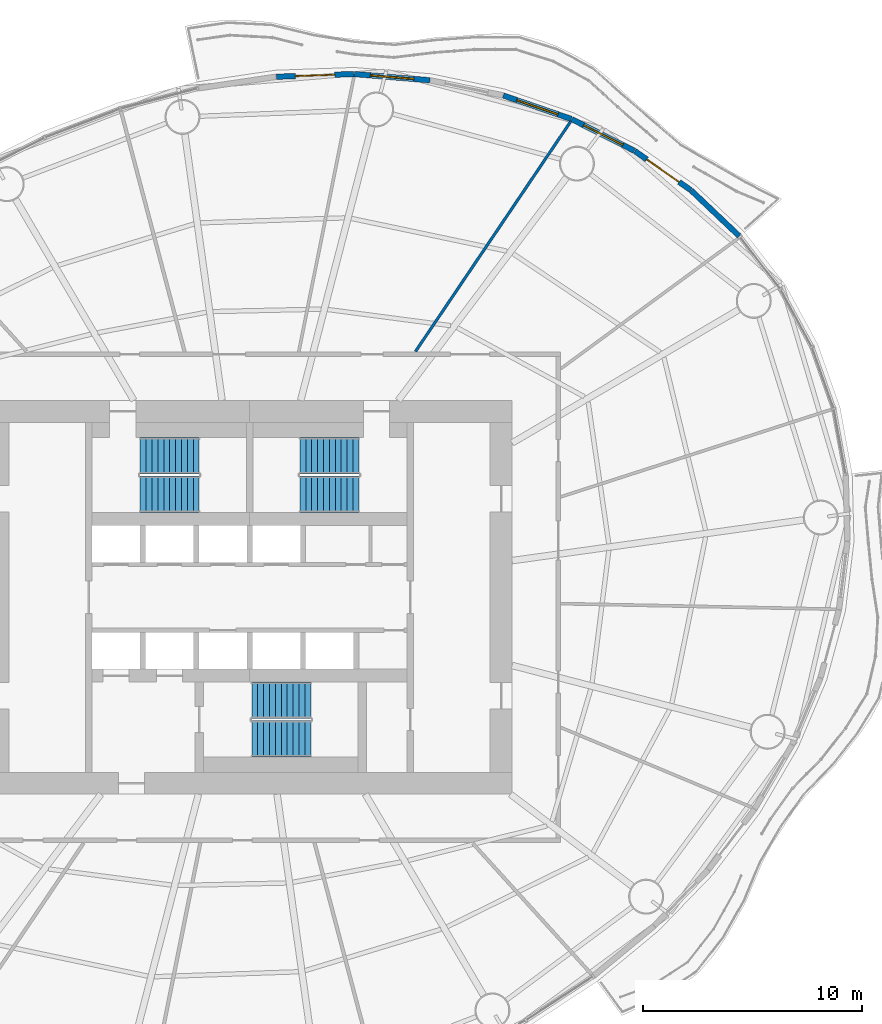
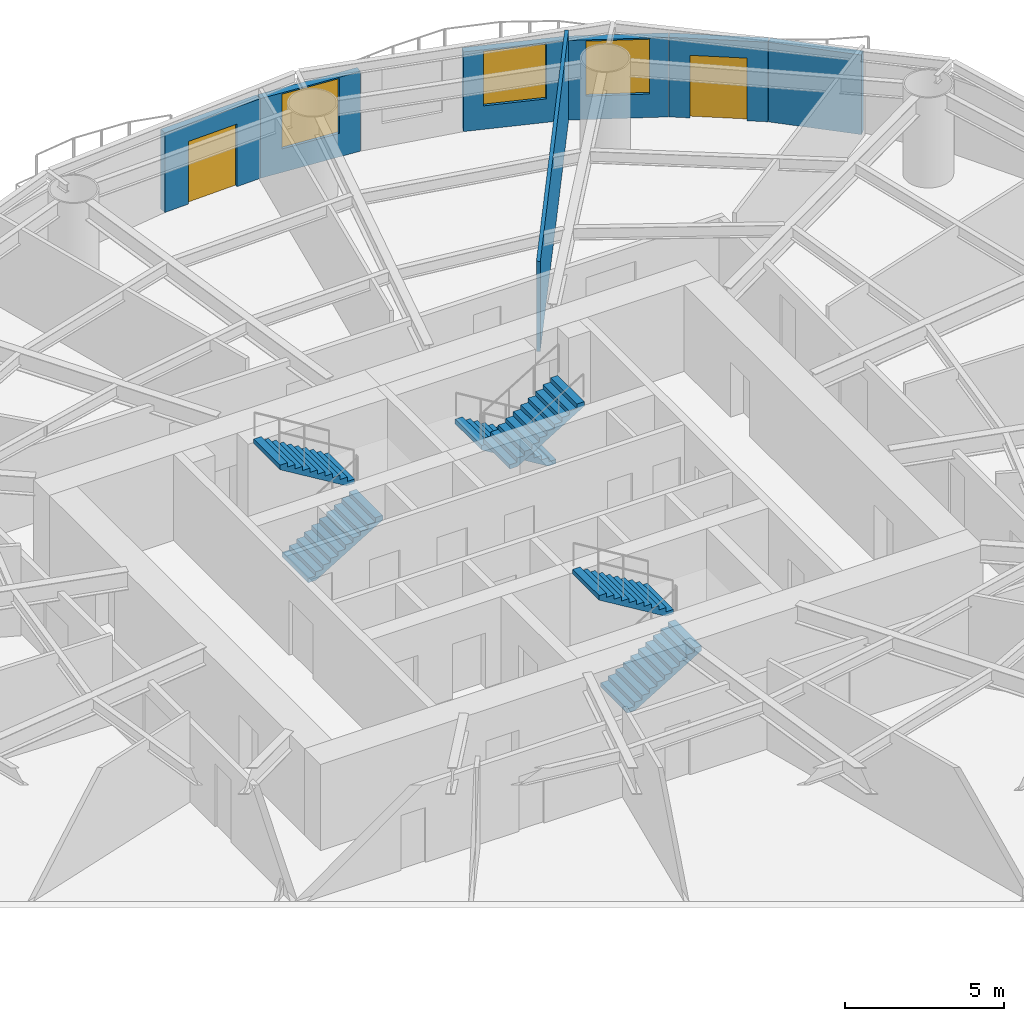
# One storey, part 10 of 15: 7 walls, 6 stair flights, 3 windows, 2 doors, 5 openings, 3 elements without a shape of their own.
"""IFC4 building model written with IfcOpenShell, lengths in metres."""

from ifc_helpers import new_model, si_unit, direction, frame, frame_2d, origin, place, context, subcontext, project, spatial, polyline, rectangle, outline, extrude, material, layer, layer_set, type_object, element, fill, aggregate, save


model = new_model("IFC4")

# Units and contexts
model_context = context("Model", 3, precision=1e-05, world=origin(), true_north=direction((0.0, 1.0)))
body_context = subcontext(model_context, "Body", "Model", "MODEL_VIEW")
ifc_project = project(units=[si_unit("LENGTHUNIT", "METRE"), si_unit("AREAUNIT", "SQUARE_METRE"), si_unit("VOLUMEUNIT", "CUBIC_METRE"), si_unit("PLANEANGLEUNIT", "RADIAN"), si_unit("MASSUNIT", "GRAM", prefix="KILO")], contexts=[model_context])

# Site, building, storey
site_placement = place(None, origin())
site = spatial("IfcSite", under=ifc_project, at=site_placement, CompositionType="ELEMENT")
building_placement = place(site_placement, origin())
building = spatial("IfcBuilding", under=site, at=building_placement, Name="Vermilion Reach Broadcast Tower", CompositionType="ELEMENT")
storey_placement = place(building_placement, frame((0.0, 0.0, 128.199951171875)))
storey = spatial("IfcBuildingStorey", under=building, at=storey_placement, Name="L30", CompositionType="ELEMENT", Elevation=128.199951171875)

# Walls
ifc_material_1 = material(Name="Fire-rated plasterboard on steel stud", Category="steel")
ifc_layer_1 = layer(ifc_material_1, 0.125)
ifc_layer_set_1 = layer_set([ifc_layer_1], Name="Partition 125 fire-rated stud")
wall_type_1 = type_object("IfcWallType", Name="Partition 125 fire-rated stud", PredefinedType="PARTITIONING", material=ifc_layer_set_1)
wall_1_placement = place(storey_placement, frame((8.672607421875, 21.740234375, 0.0), z_axis=(0.0, 0.0, 1.0), x_axis=(-0.559416611395, -0.828886635732, 0.0)))
element("IfcWall", 1, at=wall_1_placement, inside=storey, type_object=wall_type_1, Name="Partition 30.02", PredefinedType="PARTITIONING", context=body_context, shape_type="SweptSolid", body=[
    extrude(rectangle(XDim=12.674072265625, YDim=0.125, at=frame_2d((6.3369140625, 0.0))), origin(), (0.0, 0.0, 1.0), 3.449951171875),
])
ifc_material_2 = material(Name="Terracotta rainscreen cladding", Category="masonry")
ifc_layer_2 = layer(ifc_material_2, 0.25)
ifc_layer_set_2 = layer_set([ifc_layer_2], Name="Terracotta rainscreen wall 250")
wall_type_2 = type_object("IfcWallType", Name="Terracotta rainscreen wall 250", PredefinedType="SOLIDWALL", material=ifc_layer_set_2)
wall_2_placement = place(storey_placement, frame((16.3740234375, 16.515869140625, 0.0), z_axis=(0.0, 0.0, 1.0), x_axis=(-0.725398271138, 0.688329389341, 0.0)))
element("IfcWall", 2, at=wall_2_placement, inside=storey, type_object=wall_type_2, Name="External wall L30 02", PredefinedType="SOLIDWALL", context=body_context, shape_type="SweptSolid", body=[
    extrude(rectangle(XDim=3.009765625, YDim=0.25, at=frame_2d((1.5048828125, 0.0))), origin(), (0.0, 0.0, 1.0), 3.050048828125),
])

# Wall, opening, door
wall_3_placement = place(storey_placement, frame((14.170166015625, 18.6044921875, 0.0), z_axis=(0.0, 0.0, 1.0), x_axis=(-0.81958096781, 0.572963382079, 0.0)))
wall_3 = element("IfcWall", 3, at=wall_3_placement, inside=storey, type_object=wall_type_2, Name="External wall L30 03", PredefinedType="SOLIDWALL", context=body_context, shape_type="SweptSolid", body=[
    extrude(rectangle(XDim=3.120361328125, YDim=0.25, at=frame_2d((1.56005859375, 0.0))), origin(), (0.0, 0.0, 1.0), 3.050048828125),
])
opening_1_placement = place(wall_3_placement, frame((0.659912109375, 0.0, 0.0)))
opening_1 = element("IfcOpeningElement", 4, at=opening_1_placement, cuts=wall_3, Name="Opening D70", PredefinedType="OPENING", context=body_context, shape_type="SweptSolid", body=[
    extrude(rectangle(XDim=1.800048828125, YDim=2.39990234375, at=frame_2d((0.89990234375, 1.199951171875))), frame((0.0, 0.135009765625, 0.0), z_axis=(0.0, -1.0, 0.0), x_axis=(1.0, 0.0, 0.0)), (0.0, 0.0, 1.0), 0.27001953125),
])
ifc_material_3 = material(Name="Low-e laminated clear glass in aluminium frame", Category="aluminium")
door_type = type_object("IfcDoorType", Name="Balcony sliding door 1800 x 2400", OperationType="DOUBLE_DOOR_SLIDING", PredefinedType="DOOR", material=ifc_material_3)
door_1_placement = place(opening_1_placement, origin())
door_1 = element("IfcDoor", 5, at=door_1_placement, inside=storey, type_object=door_type, Name="Balcony door L30 run 01", OperationType="DOUBLE_DOOR_SLIDING", OverallHeight=2.39990234375, OverallWidth=1.800048828125, PredefinedType="DOOR", context=body_context, shape_type="SweptSolid", body=[
    extrude(rectangle(XDim=1.800048828125, YDim=2.39990234375, at=frame_2d((0.89990234375, 1.199951171875))), frame((0.0, 0.02490234375, 0.0), z_axis=(0.0, -1.0, 0.0), x_axis=(1.0, 0.0, 0.0)), (0.0, 0.0, 1.0), 0.050048828125),
])
fill(opening_1, door_1)

# Wall, opening, window
wall_4_placement = place(storey_placement, frame((11.5908203125, 20.405517578125, 0.0), z_axis=(0.0, 0.0, 1.0), x_axis=(-0.892544139391, 0.450960041732, 0.0)))
wall_4 = element("IfcWall", 6, at=wall_4_placement, inside=storey, type_object=wall_type_2, Name="External wall L30 04", PredefinedType="SOLIDWALL", context=body_context, shape_type="SweptSolid", body=[
    extrude(rectangle(XDim=3.202880859375, YDim=0.25, at=frame_2d((1.6015625, 0.0))), origin(), (0.0, 0.0, 1.0), 3.050048828125),
])
opening_2_placement = place(wall_4_placement, frame((0.601318359375, 0.0, 0.89990234375)))
opening_2 = element("IfcOpeningElement", 7, at=opening_2_placement, cuts=wall_4, Name="Opening W03", PredefinedType="OPENING", context=body_context, shape_type="SweptSolid", body=[
    extrude(rectangle(XDim=2.0, YDim=2.10009765625, at=frame_2d((1.0, 1.050048828125))), frame((0.0, 0.135009765625, 0.0), z_axis=(0.0, -1.0, 0.0), x_axis=(1.0, 0.0, 0.0)), (0.0, 0.0, 1.0), 0.27001953125),
])
ifc_material_4 = material(Name="Low-e laminated clear glass in aluminium frame", Category="aluminium")
window_type = type_object("IfcWindowType", Name="Punched window 2000 x 2100 sill 900", PartitioningType="SINGLE_PANEL", PredefinedType="WINDOW", material=ifc_material_4)
window_1_placement = place(opening_2_placement, origin())
window_1 = element("IfcWindow", 8, at=window_1_placement, inside=storey, type_object=window_type, Name="Window L30 04", OverallHeight=2.10009765625, OverallWidth=2.0, PartitioningType="SINGLE_PANEL", PredefinedType="WINDOW", context=body_context, shape_type="SweptSolid", body=[
    extrude(rectangle(XDim=2.0, YDim=2.10009765625, at=frame_2d((1.0, 1.050048828125))), frame((0.0, 0.030029296875, 0.0), z_axis=(0.0, -1.0, 0.0), x_axis=(1.0, 0.0, 0.0)), (0.0, 0.0, 1.0), 0.06005859375),
])
fill(opening_2, window_1)

wall_5_placement = place(storey_placement, frame((8.70947265625, 21.859375, 0.0), z_axis=(0.0, 0.0, 1.0), x_axis=(-0.945193950443, 0.326509411878, 0.0)))
wall_5 = element("IfcWall", 9, at=wall_5_placement, inside=storey, type_object=wall_type_2, Name="External wall L30 05", PredefinedType="SOLIDWALL", context=body_context, shape_type="SweptSolid", body=[
    extrude(rectangle(XDim=3.292236328125, YDim=0.25, at=frame_2d((1.64599609375, 0.0))), origin(), (0.0, 0.0, 1.0), 3.050048828125),
])
opening_3_placement = place(wall_5_placement, frame((0.64599609375, 0.0, 0.89990234375)))
opening_3 = element("IfcOpeningElement", 10, at=opening_3_placement, cuts=wall_5, Name="Opening W03", PredefinedType="OPENING", context=body_context, shape_type="SweptSolid", body=[
    extrude(rectangle(XDim=2.0, YDim=2.10009765625, at=frame_2d((1.0, 1.050048828125))), frame((0.0, 0.135009765625, 0.0), z_axis=(0.0, -1.0, 0.0), x_axis=(1.0, 0.0, 0.0)), (0.0, 0.0, 1.0), 0.27001953125),
])
window_2_placement = place(opening_3_placement, origin())
window_2 = element("IfcWindow", 11, at=window_2_placement, inside=storey, type_object=window_type, Name="Window L30 05", OverallHeight=2.10009765625, OverallWidth=2.0, PartitioningType="SINGLE_PANEL", PredefinedType="WINDOW", context=body_context, shape_type="SweptSolid", body=[
    extrude(rectangle(XDim=2.0, YDim=2.10009765625, at=frame_2d((1.0, 1.050048828125))), frame((0.0, 0.030029296875, 0.0), z_axis=(0.0, -1.0, 0.0), x_axis=(1.0, 0.0, 0.0)), (0.0, 0.0, 1.0), 0.06005859375),
])
fill(opening_3, window_2)

wall_6_placement = place(storey_placement, frame((2.23974609375, 23.630126953125, 0.0), z_axis=(0.0, 0.0, 1.0), x_axis=(-0.996640297335, 0.081903099619, 0.0)))
wall_6 = element("IfcWall", 12, at=wall_6_placement, inside=storey, type_object=wall_type_2, Name="External wall L30 07", PredefinedType="SOLIDWALL", context=body_context, shape_type="SweptSolid", body=[
    extrude(rectangle(XDim=3.466796875, YDim=0.25, at=frame_2d((1.7333984375, 0.0))), origin(), (0.0, 0.0, 1.0), 3.050048828125),
])
opening_4_placement = place(wall_6_placement, frame((0.7333984375, 0.0, 0.89990234375)))
opening_4 = element("IfcOpeningElement", 13, at=opening_4_placement, cuts=wall_6, Name="Opening W03", PredefinedType="OPENING", context=body_context, shape_type="SweptSolid", body=[
    extrude(rectangle(XDim=2.0, YDim=2.10009765625, at=frame_2d((1.0, 1.050048828125))), frame((0.0, 0.135009765625, 0.0), z_axis=(0.0, -1.0, 0.0), x_axis=(1.0, 0.0, 0.0)), (0.0, 0.0, 1.0), 0.27001953125),
])
window_3_placement = place(opening_4_placement, origin())
window_3 = element("IfcWindow", 14, at=window_3_placement, inside=storey, type_object=window_type, Name="Window L30 07", OverallHeight=2.10009765625, OverallWidth=2.0, PartitioningType="SINGLE_PANEL", PredefinedType="WINDOW", context=body_context, shape_type="SweptSolid", body=[
    extrude(rectangle(XDim=2.0, YDim=2.10009765625, at=frame_2d((1.0, 1.050048828125))), frame((0.0, 0.030029296875, 0.0), z_axis=(0.0, -1.0, 0.0), x_axis=(1.0, 0.0, 0.0)), (0.0, 0.0, 1.0), 0.06005859375),
])
fill(opening_4, window_3)

# Wall, opening, door
wall_7_placement = place(storey_placement, frame((-1.238037109375, 23.914794921875, 0.0), z_axis=(0.0, 0.0, 1.0), x_axis=(-0.999391167588, -0.034889742707, 0.0)))
wall_7 = element("IfcWall", 15, at=wall_7_placement, inside=storey, type_object=wall_type_2, Name="External wall L30 08", PredefinedType="SOLIDWALL", context=body_context, shape_type="SweptSolid", body=[
    extrude(rectangle(XDim=3.540771484375, YDim=0.25, at=frame_2d((1.7705078125, 0.0))), origin(), (0.0, 0.0, 1.0), 3.050048828125),
])
opening_5_placement = place(wall_7_placement, frame((0.8701171875, 0.0, 0.0)))
opening_5 = element("IfcOpeningElement", 16, at=opening_5_placement, cuts=wall_7, Name="Opening D70", PredefinedType="OPENING", context=body_context, shape_type="SweptSolid", body=[
    extrude(rectangle(XDim=1.800048828125, YDim=2.39990234375, at=frame_2d((0.89990234375, 1.199951171875))), frame((0.0, 0.135009765625, 0.0), z_axis=(0.0, -1.0, 0.0), x_axis=(1.0, 0.0, 0.0)), (0.0, 0.0, 1.0), 0.27001953125),
])
door_2_placement = place(opening_5_placement, origin())
door_2 = element("IfcDoor", 17, at=door_2_placement, inside=storey, type_object=door_type, Name="Balcony door L30 run 02", OperationType="DOUBLE_DOOR_SLIDING", OverallHeight=2.39990234375, OverallWidth=1.800048828125, PredefinedType="DOOR", context=body_context, shape_type="SweptSolid", body=[
    extrude(rectangle(XDim=1.800048828125, YDim=2.39990234375, at=frame_2d((0.89990234375, 1.199951171875))), frame((0.0, 0.02490234375, 0.0), z_axis=(0.0, -1.0, 0.0), x_axis=(1.0, 0.0, 0.0)), (0.0, 0.0, 1.0), 0.050048828125),
])
fill(opening_5, door_2)

# Stair, stair flights
ifc_material_5 = material(Name="Concrete C40", Category="concrete")
stair_type = type_object("IfcStairType", Name="Exit stair RC 22 risers 164 mm", PredefinedType="HALF_TURN_STAIR", material=ifc_material_5)
placement = place(storey_placement, origin())
stair_1 = element("IfcStair", 18, at=placement, inside=storey, type_object=stair_type, Name="L30 Exit stair ST1", PredefinedType="HALF_TURN_STAIR")
ifc_material_6 = material(Name="Concrete C40", Category="concrete")
stair_flight_type = type_object("IfcStairFlightType", Name="Exit stair flight RC 11 risers", PredefinedType="STRAIGHT", material=ifc_material_6)
stair_flight_1_placement = place(storey_placement, frame((-11.0, 4.7099609375, 0.0), z_axis=(0.0, 0.0, 1.0), x_axis=(1.0, 0.0, 0.0)))
stair_flight_1 = element("IfcStairFlight", 19, at=stair_flight_1_placement, type_object=stair_flight_type, Name="ST1 flight 1", NumberOfRisers=11, NumberOfTreads=10, PredefinedType="STRAIGHT", RiserHeight=0.163636364, TreadLength=0.27, context=body_context, shape_type="SweptSolid", body=[
    extrude(outline(polyline([(0.0, 0.0), (0.0, 0.16357421875), (0.27001953125, 0.16357421875), (0.27001953125, 0.327392578125), (0.5400390625, 0.327392578125), (0.5400390625, 0.490966796875), (0.81005859375, 0.490966796875), (0.81005859375, 0.654541015625), (1.080078125, 0.654541015625), (1.080078125, 0.818115234375), (1.35009765625, 0.818115234375), (1.35009765625, 0.98193359375), (1.6201171875, 0.98193359375), (1.6201171875, 1.1455078125), (1.889892578125, 1.1455078125), (1.889892578125, 1.30908203125), (2.159912109375, 1.30908203125), (2.159912109375, 1.47265625), (2.429931640625, 1.47265625), (2.429931640625, 1.636474609375), (2.699951171875, 1.636474609375), (2.699951171875, 1.800048828125), (2.699951171875, 1.461181640625), (0.289306640625, 0.0), (0.0, 0.0)])), frame((0.0, 0.830078125, 0.0), z_axis=(0.0, -1.0, 0.0), x_axis=(1.0, 0.0, 0.0)), (0.0, 0.0, 1.0), 1.659912109375),
])
stair_flight_2_placement = place(storey_placement, frame((-8.300048828125, 6.469970703125, 1.800048828125), z_axis=(0.0, 0.0, 1.0), x_axis=(-1.0, 0.0, 0.0)))
stair_flight_2 = element("IfcStairFlight", 20, at=stair_flight_2_placement, type_object=stair_flight_type, Name="ST1 flight 2", NumberOfRisers=11, NumberOfTreads=10, PredefinedType="STRAIGHT", RiserHeight=0.163636364, TreadLength=0.27, context=body_context, shape_type="SweptSolid", body=[
    extrude(outline(polyline([(0.0, 0.0), (0.0, 0.16357421875), (0.27001953125, 0.16357421875), (0.27001953125, 0.327392578125), (0.5400390625, 0.327392578125), (0.5400390625, 0.490966796875), (0.81005859375, 0.490966796875), (0.81005859375, 0.654541015625), (1.080078125, 0.654541015625), (1.080078125, 0.818115234375), (1.35009765625, 0.818115234375), (1.35009765625, 0.98193359375), (1.6201171875, 0.98193359375), (1.6201171875, 1.1455078125), (1.889892578125, 1.1455078125), (1.889892578125, 1.30908203125), (2.159912109375, 1.30908203125), (2.159912109375, 1.47265625), (2.429931640625, 1.47265625), (2.429931640625, 1.636474609375), (2.699951171875, 1.636474609375), (2.699951171875, 1.800048828125), (2.699951171875, 1.461181640625), (0.289306640625, 0.0), (0.0, 0.0)])), frame((0.0, 0.830078125, 0.0), z_axis=(0.0, -1.0, 0.0), x_axis=(1.0, 0.0, 0.0)), (0.0, 0.0, 1.0), 1.659912109375),
])
aggregate(stair_1, [stair_flight_1, stair_flight_2])

stair_2 = element("IfcStair", 21, at=placement, inside=storey, type_object=stair_type, Name="L30 Exit stair ST2", PredefinedType="HALF_TURN_STAIR")
stair_flight_3_placement = place(storey_placement, frame((-1.0, 6.469970703125, 0.0), z_axis=(0.0, 0.0, 1.0), x_axis=(-1.0, 0.0, 0.0)))
stair_flight_3 = element("IfcStairFlight", 22, at=stair_flight_3_placement, type_object=stair_flight_type, Name="ST2 flight 1", NumberOfRisers=11, NumberOfTreads=10, PredefinedType="STRAIGHT", RiserHeight=0.163636364, TreadLength=0.27, context=body_context, shape_type="SweptSolid", body=[
    extrude(outline(polyline([(0.0, 0.0), (0.0, 0.16357421875), (0.27001953125, 0.16357421875), (0.27001953125, 0.327392578125), (0.5400390625, 0.327392578125), (0.5400390625, 0.490966796875), (0.81005859375, 0.490966796875), (0.81005859375, 0.654541015625), (1.080078125, 0.654541015625), (1.080078125, 0.818115234375), (1.35009765625, 0.818115234375), (1.35009765625, 0.98193359375), (1.6201171875, 0.98193359375), (1.6201171875, 1.1455078125), (1.889892578125, 1.1455078125), (1.889892578125, 1.30908203125), (2.159912109375, 1.30908203125), (2.159912109375, 1.47265625), (2.429931640625, 1.47265625), (2.429931640625, 1.636474609375), (2.699951171875, 1.636474609375), (2.699951171875, 1.800048828125), (2.699951171875, 1.461181640625), (0.289306640625, 0.0), (0.0, 0.0)])), frame((0.0, 0.830078125, 0.0), z_axis=(0.0, -1.0, 0.0), x_axis=(1.0, 0.0, 0.0)), (0.0, 0.0, 1.0), 1.659912109375),
])
stair_flight_4_placement = place(storey_placement, frame((-3.699951171875, 4.7099609375, 1.800048828125), z_axis=(0.0, 0.0, 1.0), x_axis=(1.0, 0.0, 0.0)))
stair_flight_4 = element("IfcStairFlight", 23, at=stair_flight_4_placement, type_object=stair_flight_type, Name="ST2 flight 2", NumberOfRisers=11, NumberOfTreads=10, PredefinedType="STRAIGHT", RiserHeight=0.163636364, TreadLength=0.27, context=body_context, shape_type="SweptSolid", body=[
    extrude(outline(polyline([(0.0, 0.0), (0.0, 0.16357421875), (0.27001953125, 0.16357421875), (0.27001953125, 0.327392578125), (0.5400390625, 0.327392578125), (0.5400390625, 0.490966796875), (0.81005859375, 0.490966796875), (0.81005859375, 0.654541015625), (1.080078125, 0.654541015625), (1.080078125, 0.818115234375), (1.35009765625, 0.818115234375), (1.35009765625, 0.98193359375), (1.6201171875, 0.98193359375), (1.6201171875, 1.1455078125), (1.889892578125, 1.1455078125), (1.889892578125, 1.30908203125), (2.159912109375, 1.30908203125), (2.159912109375, 1.47265625), (2.429931640625, 1.47265625), (2.429931640625, 1.636474609375), (2.699951171875, 1.636474609375), (2.699951171875, 1.800048828125), (2.699951171875, 1.461181640625), (0.289306640625, 0.0), (0.0, 0.0)])), frame((0.0, 0.830078125, 0.0), z_axis=(0.0, -1.0, 0.0), x_axis=(1.0, 0.0, 0.0)), (0.0, 0.0, 1.0), 1.659912109375),
])
aggregate(stair_2, [stair_flight_3, stair_flight_4])

stair_3 = element("IfcStair", 24, at=placement, inside=storey, type_object=stair_type, Name="L30 Exit stair ST3", PredefinedType="HALF_TURN_STAIR")
stair_flight_5_placement = place(storey_placement, frame((-5.89990234375, -6.469970703125, 0.0), z_axis=(0.0, 0.0, 1.0), x_axis=(1.0, 0.0, 0.0)))
stair_flight_5 = element("IfcStairFlight", 25, at=stair_flight_5_placement, type_object=stair_flight_type, Name="ST3 flight 1", NumberOfRisers=11, NumberOfTreads=10, PredefinedType="STRAIGHT", RiserHeight=0.163636364, TreadLength=0.27, context=body_context, shape_type="SweptSolid", body=[
    extrude(outline(polyline([(0.0, 0.0), (0.0, 0.16357421875), (0.27001953125, 0.16357421875), (0.27001953125, 0.327392578125), (0.5400390625, 0.327392578125), (0.5400390625, 0.490966796875), (0.81005859375, 0.490966796875), (0.81005859375, 0.654541015625), (1.080078125, 0.654541015625), (1.080078125, 0.818115234375), (1.35009765625, 0.818115234375), (1.35009765625, 0.98193359375), (1.6201171875, 0.98193359375), (1.6201171875, 1.1455078125), (1.889892578125, 1.1455078125), (1.889892578125, 1.30908203125), (2.159912109375, 1.30908203125), (2.159912109375, 1.47265625), (2.429931640625, 1.47265625), (2.429931640625, 1.636474609375), (2.699951171875, 1.636474609375), (2.699951171875, 1.800048828125), (2.699951171875, 1.461181640625), (0.289306640625, 0.0), (0.0, 0.0)])), frame((0.0, 0.830078125, 0.0), z_axis=(0.0, -1.0, 0.0), x_axis=(1.0, 0.0, 0.0)), (0.0, 0.0, 1.0), 1.659912109375),
])
stair_flight_6_placement = place(storey_placement, frame((-3.199951171875, -4.7099609375, 1.800048828125), z_axis=(0.0, 0.0, 1.0), x_axis=(-1.0, 0.0, 0.0)))
stair_flight_6 = element("IfcStairFlight", 26, at=stair_flight_6_placement, type_object=stair_flight_type, Name="ST3 flight 2", NumberOfRisers=11, NumberOfTreads=10, PredefinedType="STRAIGHT", RiserHeight=0.163636364, TreadLength=0.27, context=body_context, shape_type="SweptSolid", body=[
    extrude(outline(polyline([(0.0, 0.0), (0.0, 0.16357421875), (0.27001953125, 0.16357421875), (0.27001953125, 0.327392578125), (0.5400390625, 0.327392578125), (0.5400390625, 0.490966796875), (0.81005859375, 0.490966796875), (0.81005859375, 0.654541015625), (1.080078125, 0.654541015625), (1.080078125, 0.818115234375), (1.35009765625, 0.818115234375), (1.35009765625, 0.98193359375), (1.6201171875, 0.98193359375), (1.6201171875, 1.1455078125), (1.889892578125, 1.1455078125), (1.889892578125, 1.30908203125), (2.159912109375, 1.30908203125), (2.159912109375, 1.47265625), (2.429931640625, 1.47265625), (2.429931640625, 1.636474609375), (2.699951171875, 1.636474609375), (2.699951171875, 1.800048828125), (2.699951171875, 1.461181640625), (0.289306640625, 0.0), (0.0, 0.0)])), frame((0.0, 0.830078125, 0.0), z_axis=(0.0, -1.0, 0.0), x_axis=(1.0, 0.0, 0.0)), (0.0, 0.0, 1.0), 1.659912109375),
])
aggregate(stair_3, [stair_flight_5, stair_flight_6])

save(model, "model.ifc")
